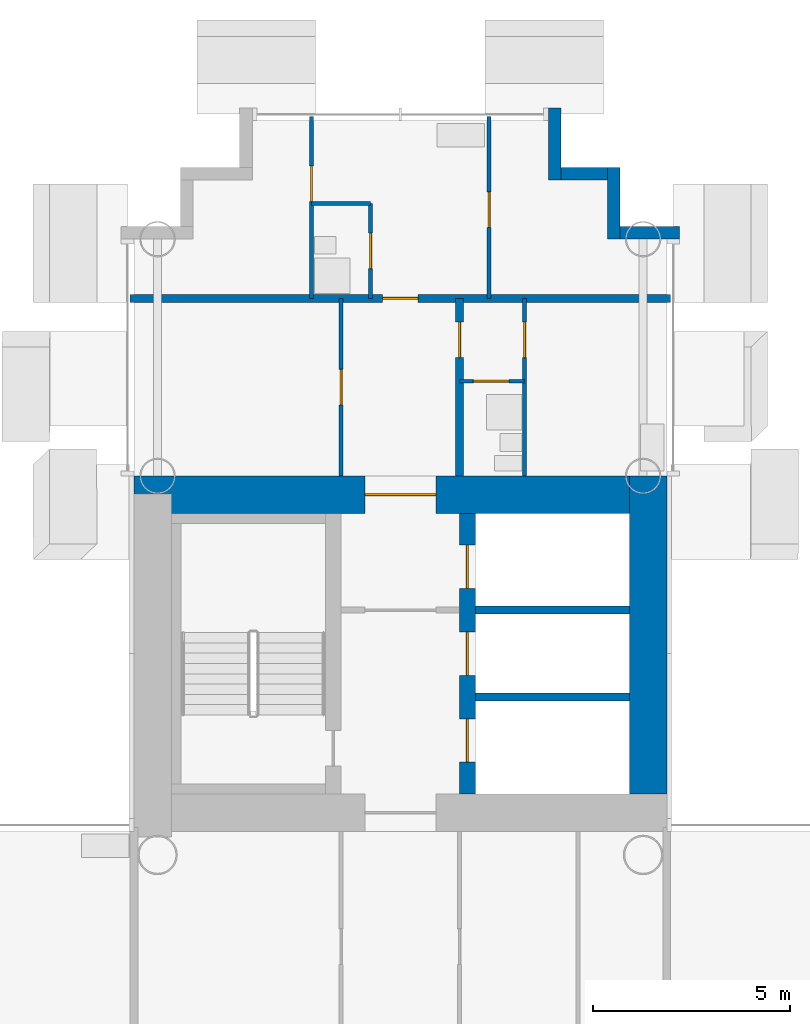
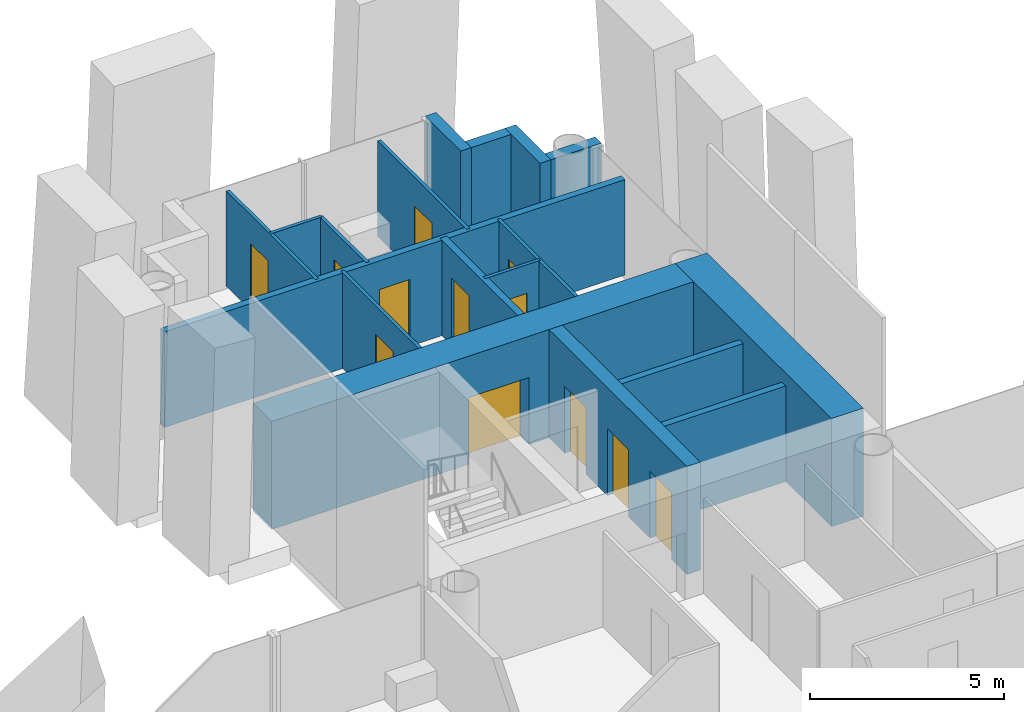
# One storey, part 13 of 21: 18 walls, 12 doors, 12 openings.
"""IFC4 building model written with IfcOpenShell, lengths in metres."""

import ifcopenshell
import ifcopenshell.guid

model = None  # the IFC model being written
_history = None  # IfcOwnerHistory: only IFC2X3 demands one
_inside = {}  # id of a spatial element -> (the spatial element, [elements in it])
_under = {}  # id of a project, library or spatial element -> (it, [spatial elements below it])
_declared = {}  # id of a project -> (the project, [libraries it declares])
_typed = {}  # id of a type object -> (the type object, [elements of that type])
_made_of = {}  # id of a material, layer set ... -> (it, [elements and type objects made of it])


def new_model(schema):
    """Start an empty IFC model of exactly this schema.

    Asked for "IFC4X3", IfcOpenShell would pick the latest addendum, in which some entities
    have other attributes; the version numbers below select the first issue.
    IFC2X3 requires an IfcOwnerHistory on every rooted entity: one is made here for all.
    """
    global model, _history
    if schema == "IFC4X3":
        model = ifcopenshell.file(schema_version=(4, 3, 0, 0))
    else:
        model = ifcopenshell.file(schema=schema)
    _inside.clear()
    _under.clear()
    _declared.clear()
    _typed.clear()
    _made_of.clear()
    _history = None
    if model.schema == "IFC2X3":
        org = make("IfcOrganization", Name="unknown")
        user = make(
            "IfcPersonAndOrganization",
            ThePerson=make("IfcPerson", FamilyName="unknown"),
            TheOrganization=org,
        )
        app = make(
            "IfcApplication",
            ApplicationDeveloper=org,
            Version="unknown",
            ApplicationFullName="unknown",
            ApplicationIdentifier="unknown",
        )
        _history = make(
            "IfcOwnerHistory",
            OwningUser=user,
            OwningApplication=app,
            ChangeAction="ADDED",
            CreationDate=0,
        )
    return model


def make(cls, **values):
    """One entity of the class cls with the attributes given. An attribute that is None is left unset."""
    return model.create_entity(
        cls, **{name: value for name, value in values.items() if value is not None}
    )


def rooted(cls, **values):
    """An entity with a GlobalId (a new one), such as an element, a storey or a relation."""
    return make(cls, GlobalId=ifcopenshell.guid.new(), OwnerHistory=_history, **values)


def si_unit(unit_type, name, prefix=None):
    """IfcSIUnit, for example si_unit("LENGTHUNIT", "METRE", prefix="MILLI")."""
    return make("IfcSIUnit", UnitType=unit_type, Prefix=prefix, Name=name)


def assignment(units):
    """IfcUnitAssignment: the units of a project."""
    return None if units is None else make("IfcUnitAssignment", Units=units)


def point(xyz):
    """IfcCartesianPoint."""
    return None if xyz is None else make("IfcCartesianPoint", Coordinates=xyz)


def direction(xyz):
    """IfcDirection."""
    return None if xyz is None else make("IfcDirection", DirectionRatios=xyz)


def frame(location, z_axis=None, x_axis=None):
    """IfcAxis2Placement3D, a coordinate frame: its origin and axes. An axis left out is left unset."""
    return make(
        "IfcAxis2Placement3D",
        Location=point(location),
        Axis=direction(z_axis),
        RefDirection=direction(x_axis),
    )


def frame_2d(location, x_axis=None):
    """IfcAxis2Placement2D, a coordinate frame in the plane: its origin and x axis."""
    return make(
        "IfcAxis2Placement2D", Location=point(location), RefDirection=direction(x_axis)
    )


def origin():
    """The frame at (0, 0, 0) with its axes left unset."""
    return frame((0.0, 0.0, 0.0))


def place(relative_to, where):
    """IfcLocalPlacement: puts the frame where relative to a parent placement (None: the world)."""
    return make(
        "IfcLocalPlacement", PlacementRelTo=relative_to, RelativePlacement=where
    )


def context(
    kind, dimensions, precision=None, world=None, true_north=None, identifier=None
):
    """IfcGeometricRepresentationContext, for example the 3D "Model" context."""
    return make(
        "IfcGeometricRepresentationContext",
        ContextIdentifier=identifier,
        ContextType=kind,
        CoordinateSpaceDimension=dimensions,
        Precision=precision,
        WorldCoordinateSystem=world,
        TrueNorth=true_north,
    )


def subcontext(parent, identifier, kind, view, scale=None):
    """IfcGeometricRepresentationSubContext, for example "Body" below "Model"."""
    return make(
        "IfcGeometricRepresentationSubContext",
        ContextIdentifier=identifier,
        ContextType=kind,
        ParentContext=parent,
        TargetScale=scale,
        TargetView=view,
    )


def project(units=None, contexts=None):
    """IfcProject with its units and contexts."""
    return rooted(
        "IfcProject",
        Name="project",
        RepresentationContexts=contexts,
        UnitsInContext=assignment(units),
    )


def spatial(cls, under=None, at=None, **own):
    """A site, building, storey or space (cls), placed at a placement, below another one or the project."""
    s = rooted(cls, ObjectPlacement=at, **own)
    if under is not None:
        _under.setdefault(under.id(), (under, []))[1].append(s)
    return s


def profile(cls, at=None, kind="AREA", **sizes):
    """A parametric profile (cls). Its sizes go by their IFC names, for example OverallWidth=200.0."""
    return make(cls, ProfileType=kind, Position=at, **sizes)


def rectangle(**sizes):
    """IfcRectangleProfileDef."""
    return profile("IfcRectangleProfileDef", **sizes)


def extrude(swept, where, along, depth):
    """IfcExtrudedAreaSolid: the profile swept, set in the frame where, extruded along a direction by depth."""
    return make(
        "IfcExtrudedAreaSolid",
        SweptArea=swept,
        Position=where,
        ExtrudedDirection=direction(along),
        Depth=depth,
    )


def shape(context_of_items, identifier, shape_type, items):
    """IfcShapeRepresentation: the items that make up one representation, for example the "Body"."""
    return make(
        "IfcShapeRepresentation",
        ContextOfItems=context_of_items,
        RepresentationIdentifier=identifier,
        RepresentationType=shape_type,
        Items=items,
    )


def material(Name=None, Category=None):
    """IfcMaterial."""
    return make("IfcMaterial", Name=Name, Category=Category)


def layer(
    of_material, thickness, ventilated=None, Name=None, Category=None, Priority=None
):
    """IfcMaterialLayer: one layer of a wall or slab, of a material (None: an air gap)."""
    return make(
        "IfcMaterialLayer",
        Material=of_material,
        LayerThickness=thickness,
        IsVentilated=ventilated,
        Name=Name,
        Category=Category,
        Priority=Priority,
    )


def layer_set(layers, Name=None):
    """IfcMaterialLayerSet."""
    return make("IfcMaterialLayerSet", MaterialLayers=layers, LayerSetName=Name)


def made_of(thing, what):
    """Note that an element or type object is made of a material, layer set ...; save() writes the relation."""
    if what is not None:
        _made_of.setdefault(what.id(), (what, []))[1].append(thing)
    return thing


def type_object(cls, material=None, **own):
    """A type object (cls), such as IfcWallType, which elements share."""
    return made_of(rooted(cls, **own), material)


def element(
    cls,
    number,
    at=None,
    inside=None,
    cuts=None,
    type_object=None,
    material=None,
    context=None,
    identifier="Body",
    shape_type=None,
    held_by="IfcProductDefinitionShape",
    body=None,
    shapes=None,
    **own,
):
    """One element of the class cls, such as IfcWall. Its Tag is "e" and its number.

    at: its placement. inside: the storey or other place that contains it. cuts: it is an
    opening in that element (IfcRelVoidsElement). A single representation is given by context,
    identifier, shape_type and body (its items); several are given by shapes. held_by: the class
    of the entity that holds the representations. save() writes the other relations.
    """
    e = rooted(cls, Tag="e%d" % number, ObjectPlacement=at, **own)
    if body is not None:
        shapes = [shape(context, identifier, shape_type, body)]
    if shapes is not None:
        e.Representation = make(held_by, Representations=shapes)
    if inside is not None:
        _inside.setdefault(inside.id(), (inside, []))[1].append(e)
    if cuts is not None:
        rooted(
            "IfcRelVoidsElement", RelatingBuildingElement=cuts, RelatedOpeningElement=e
        )
    if type_object is not None:
        _typed.setdefault(type_object.id(), (type_object, []))[1].append(e)
    return made_of(e, material)


def fill(opening, filler):
    """IfcRelFillsElement: the door or window that sits in an opening."""
    return rooted(
        "IfcRelFillsElement",
        RelatingOpeningElement=opening,
        RelatedBuildingElement=filler,
    )


def aggregate(whole, parts):
    """IfcRelAggregates: a whole, such as a stair, and the parts it consists of."""
    return rooted("IfcRelAggregates", RelatingObject=whole, RelatedObjects=parts)


def save(model, path):
    """Write the relations noted so far, then the file.

    IfcRelAggregates (storeys below a building ...), IfcRelContainedInSpatialStructure (elements
    in a storey), IfcRelDefinesByType, IfcRelAssociatesMaterial and IfcRelDeclares: one each for
    every whole, place, type object, material and project.
    """
    for whole, parts in _under.values():
        aggregate(whole, parts)
    for where, things in _inside.values():
        rooted(
            "IfcRelContainedInSpatialStructure",
            RelatedElements=things,
            RelatingStructure=where,
        )
    for kind, things in _typed.values():
        rooted("IfcRelDefinesByType", RelatedObjects=things, RelatingType=kind)
    for what, things in _made_of.values():
        rooted("IfcRelAssociatesMaterial", RelatedObjects=things, RelatingMaterial=what)
    for by, libraries in _declared.values():
        rooted("IfcRelDeclares", RelatingContext=by, RelatedDefinitions=libraries)
    model.write(path)


model = new_model("IFC4")

# Units and contexts
model_context = context("Model", 3, precision=1e-05, world=origin(), true_north=direction((0.0, 1.0)))
body_context = subcontext(model_context, "Body", "Model", "MODEL_VIEW")
ifc_project = project(units=[si_unit("LENGTHUNIT", "METRE"), si_unit("AREAUNIT", "SQUARE_METRE"), si_unit("VOLUMEUNIT", "CUBIC_METRE"), si_unit("PLANEANGLEUNIT", "RADIAN"), si_unit("MASSUNIT", "GRAM", prefix="KILO")], contexts=[model_context])

# Site, building, storey
site_placement = place(None, origin())
site = spatial("IfcSite", under=ifc_project, at=site_placement, CompositionType="ELEMENT")
building_placement = place(site_placement, origin())
building = spatial("IfcBuilding", under=site, at=building_placement, Name="Ipe Terrace Towers", CompositionType="ELEMENT")
storey_placement = place(building_placement, frame((0.0, 0.0, 80.0)))
storey = spatial("IfcBuildingStorey", under=building, at=storey_placement, Name="L21", CompositionType="ELEMENT", Elevation=80.0)

# Walls
ifc_material_1 = material(Name="Concrete C40/50 with buff precast cladding", Category="concrete")
ifc_layer_1 = layer(ifc_material_1, 0.320068359375)
ifc_layer_set_1 = layer_set([ifc_layer_1], Name="BUFF CLADDING WALL 320")
wall_type_1 = type_object("IfcWallType", Name="BUFF CLADDING WALL 320", PredefinedType="STANDARD", material=ifc_layer_set_1)
wall_1_placement = place(storey_placement, frame((43.070068359375, 21.909912109375, -0.300048828125), z_axis=(0.0, 0.0, 1.0), x_axis=(-1.0, 0.0, 0.0)))
element("IfcWall", 1, at=wall_1_placement, inside=storey, type_object=wall_type_1, Name="T2-W-L21-17a wall", PredefinedType="STANDARD", context=body_context, shape_type="SweptSolid", body=[
    extrude(rectangle(XDim=1.5, YDim=0.320068359375, at=frame_2d((0.75, 0.0))), origin(), (0.0, 0.0, 1.0), 3.400146484375),
])
wall_2_placement = place(storey_placement, frame((41.409912109375, 21.75, -0.300048828125), z_axis=(0.0, 0.0, 1.0), x_axis=(0.0, 1.0, 0.0)))
element("IfcWall", 2, at=wall_2_placement, inside=storey, type_object=wall_type_1, Name="T2-W-L21-18a wall", PredefinedType="STANDARD", context=body_context, shape_type="SweptSolid", body=[
    extrude(rectangle(XDim=1.820068359375, YDim=0.320068359375, at=frame_2d((0.91015625, 0.0))), origin(), (0.0, 0.0, 1.0), 3.400146484375),
])
wall_3_placement = place(storey_placement, frame((41.25, 23.409912109375, -0.300048828125), z_axis=(0.0, 0.0, 1.0), x_axis=(-1.0, 0.0, 0.0)))
element("IfcWall", 3, at=wall_3_placement, inside=storey, type_object=wall_type_1, Name="T2-W-L21-19a wall", PredefinedType="STANDARD", context=body_context, shape_type="SweptSolid", body=[
    extrude(rectangle(XDim=1.179931640625, YDim=0.320068359375, at=frame_2d((0.58984375, 0.0))), origin(), (0.0, 0.0, 1.0), 3.400146484375),
])
wall_4_placement = place(storey_placement, frame((39.909912109375, 23.25, -0.300048828125), z_axis=(0.0, 0.0, 1.0), x_axis=(0.0, 1.0, 0.0)))
element("IfcWall", 4, at=wall_4_placement, inside=storey, type_object=wall_type_1, Name="T2-W-L21-20a wall", PredefinedType="STANDARD", context=body_context, shape_type="SweptSolid", body=[
    extrude(rectangle(XDim=1.820068359375, YDim=0.320068359375, at=frame_2d((0.91015625, 0.0))), origin(), (0.0, 0.0, 1.0), 3.400146484375),
])

# Wall, opening, door
ifc_material_2 = material(Name="Gypsum board partition", Category="plasterboard")
ifc_layer_2 = layer(ifc_material_2, 0.10009765625)
ifc_layer_set_2 = layer_set([ifc_layer_2], Name="Gypsum board partition 100 mm")
wall_type_2 = type_object("IfcWallType", Name="Gypsum board partition 100 mm", PredefinedType="PARTITIONING", material=ifc_layer_set_2)
wall_5_placement = place(storey_placement, frame((39.14990234375, 18.14990234375, 0.0), z_axis=(0.0, 0.0, 1.0), x_axis=(-1.0, 0.0, 0.0)))
wall_5 = element("IfcWall", 5, at=wall_5_placement, inside=storey, type_object=wall_type_2, Name="Gypsum board partition T2 L21 W16", PredefinedType="PARTITIONING", context=body_context, shape_type="SweptSolid", body=[
    extrude(rectangle(XDim=1.64990234375, YDim=0.10009765625, at=frame_2d((0.824951171875, 0.0))), origin(), (0.0, 0.0, 1.0), 3.0),
])
opening_1_placement = place(wall_5_placement, frame((0.39990234375, 0.0, 0.0)))
opening_1 = element("IfcOpeningElement", 6, at=opening_1_placement, cuts=wall_5, Name="Opening T2-Z2B-20", PredefinedType="OPENING", context=body_context, shape_type="SweptSolid", body=[
    extrude(rectangle(XDim=0.89990234375, YDim=2.10009765625, at=frame_2d((0.449951171875, 1.050048828125))), frame((0.0, 0.06005859375, 0.0), z_axis=(0.0, -1.0, 0.0), x_axis=(1.0, 0.0, 0.0)), (0.0, 0.0, 1.0), 0.1201171875),
])
ifc_material_3 = material(Name="Timber door leaf", Category="wood")
door_type_1 = type_object("IfcDoorType", Name="Bathroom door 900 x 2100", OperationType="NOTDEFINED", PredefinedType="DOOR", material=ifc_material_3)
door_1_placement = place(opening_1_placement, origin())
door_1 = element("IfcDoor", 7, at=door_1_placement, inside=storey, type_object=door_type_1, Name="Bathroom door T2-Z2B-20", OperationType="SINGLE_SWING_LEFT", OverallHeight=2.10009765625, OverallWidth=0.89990234375, PredefinedType="DOOR", context=body_context, shape_type="SweptSolid", body=[
    extrude(rectangle(XDim=0.89990234375, YDim=2.10009765625, at=frame_2d((0.449951171875, 1.050048828125))), frame((0.0, 0.02490234375, 0.0), z_axis=(0.0, -1.0, 0.0), x_axis=(1.0, 0.0, 0.0)), (0.0, 0.0, 1.0), 0.050048828125),
])
fill(opening_1, door_1)

# Wall
wall_6_placement = place(storey_placement, frame((35.25, 22.64990234375, 0.0), z_axis=(0.0, 0.0, 1.0), x_axis=(-1.0, 0.0, 0.0)))
element("IfcWall", 8, at=wall_6_placement, inside=storey, type_object=wall_type_2, Name="Gypsum board partition T2 L21 W18", PredefinedType="PARTITIONING", context=body_context, shape_type="SweptSolid", body=[
    extrude(rectangle(XDim=1.5, YDim=0.10009765625, at=frame_2d((0.75, 0.0))), origin(), (0.0, 0.0, 1.0), 3.0),
])

# Wall, opening, door
wall_7_placement = place(storey_placement, frame((39.14990234375, 15.75, 0.0), z_axis=(0.0, 0.0, 1.0), x_axis=(0.0, 1.0, 0.0)))
wall_7 = element("IfcWall", 9, at=wall_7_placement, inside=storey, type_object=wall_type_2, Name="Gypsum board partition T2 L21 W26", PredefinedType="PARTITIONING", context=body_context, shape_type="SweptSolid", body=[
    extrude(rectangle(XDim=4.5, YDim=0.10009765625, at=frame_2d((2.25, 0.0))), origin(), (0.0, 0.0, 1.0), 3.0),
])
opening_2_placement = place(wall_7_placement, frame((3.0, 0.0, 0.0)))
opening_2 = element("IfcOpeningElement", 10, at=opening_2_placement, cuts=wall_7, Name="Opening T2-Z2B-19", PredefinedType="OPENING", context=body_context, shape_type="SweptSolid", body=[
    extrude(rectangle(XDim=0.89990234375, YDim=2.10009765625, at=frame_2d((0.449951171875, 1.050048828125))), frame((0.0, 0.06005859375, 0.0), z_axis=(0.0, -1.0, 0.0), x_axis=(1.0, 0.0, 0.0)), (0.0, 0.0, 1.0), 0.1201171875),
])
ifc_material_4 = material(Name="Timber door leaf", Category="wood")
door_type_2 = type_object("IfcDoorType", Name="Bedroom door 900 x 2100", OperationType="NOTDEFINED", PredefinedType="DOOR", material=ifc_material_4)
door_2_placement = place(opening_2_placement, origin())
door_2 = element("IfcDoor", 11, at=door_2_placement, inside=storey, type_object=door_type_2, Name="Bedroom door T2-Z2B-19", OperationType="SINGLE_SWING_RIGHT", OverallHeight=2.10009765625, OverallWidth=0.89990234375, PredefinedType="DOOR", context=body_context, shape_type="SweptSolid", body=[
    extrude(rectangle(XDim=0.89990234375, YDim=2.10009765625, at=frame_2d((0.449951171875, 1.050048828125))), frame((0.0, 0.02490234375, 0.0), z_axis=(0.0, -1.0, 0.0), x_axis=(1.0, 0.0, 0.0)), (0.0, 0.0, 1.0), 0.050048828125),
])
fill(opening_2, door_2)

wall_8_placement = place(storey_placement, frame((38.25, 20.25, 0.0), z_axis=(0.0, 0.0, 1.0), x_axis=(0.0, 1.0, 0.0)))
wall_8 = element("IfcWall", 12, at=wall_8_placement, inside=storey, type_object=wall_type_2, Name="Gypsum board partition T2 L21 W27", PredefinedType="PARTITIONING", context=body_context, shape_type="SweptSolid", body=[
    extrude(rectangle(XDim=4.60009765625, YDim=0.10009765625, at=frame_2d((2.300048828125, 0.0))), origin(), (0.0, 0.0, 1.0), 3.0),
])
opening_3_placement = place(wall_8_placement, frame((1.800048828125, 0.0, 0.0)))
opening_3 = element("IfcOpeningElement", 13, at=opening_3_placement, cuts=wall_8, Name="Opening T2-Z2B-24", PredefinedType="OPENING", context=body_context, shape_type="SweptSolid", body=[
    extrude(rectangle(XDim=0.89990234375, YDim=2.10009765625, at=frame_2d((0.449951171875, 1.050048828125))), frame((0.0, 0.06005859375, 0.0), z_axis=(0.0, -1.0, 0.0), x_axis=(1.0, 0.0, 0.0)), (0.0, 0.0, 1.0), 0.1201171875),
])
ifc_material_5 = material(Name="Timber door leaf", Category="wood")
door_type_3 = type_object("IfcDoorType", Name="Lounge door 900 x 2100", OperationType="NOTDEFINED", PredefinedType="DOOR", material=ifc_material_5)
door_3_placement = place(opening_3_placement, origin())
door_3 = element("IfcDoor", 14, at=door_3_placement, inside=storey, type_object=door_type_3, Name="Lounge door T2-Z2B-24", OperationType="SINGLE_SWING_LEFT", OverallHeight=2.10009765625, OverallWidth=0.89990234375, PredefinedType="DOOR", context=body_context, shape_type="SweptSolid", body=[
    extrude(rectangle(XDim=0.89990234375, YDim=2.10009765625, at=frame_2d((0.449951171875, 1.050048828125))), frame((0.0, 0.02490234375, 0.0), z_axis=(0.0, -1.0, 0.0), x_axis=(1.0, 0.0, 0.0)), (0.0, 0.0, 1.0), 0.050048828125),
])
fill(opening_3, door_3)

wall_9_placement = place(storey_placement, frame((35.25, 20.25, 0.0), z_axis=(0.0, 0.0, 1.0), x_axis=(0.0, 1.0, 0.0)))
wall_9 = element("IfcWall", 15, at=wall_9_placement, inside=storey, type_object=wall_type_2, Name="Gypsum board partition T2 L21 W31", PredefinedType="PARTITIONING", context=body_context, shape_type="SweptSolid", body=[
    extrude(rectangle(XDim=2.39990234375, YDim=0.10009765625, at=frame_2d((1.199951171875, 0.0))), origin(), (0.0, 0.0, 1.0), 3.0),
])
opening_4_placement = place(wall_9_placement, frame((0.75, 0.0, 0.0)))
opening_4 = element("IfcOpeningElement", 16, at=opening_4_placement, cuts=wall_9, Name="Opening T2-Z2B-21", PredefinedType="OPENING", context=body_context, shape_type="SweptSolid", body=[
    extrude(rectangle(XDim=0.89990234375, YDim=2.10009765625, at=frame_2d((0.449951171875, 1.050048828125))), frame((0.0, 0.06005859375, 0.0), z_axis=(0.0, -1.0, 0.0), x_axis=(1.0, 0.0, 0.0)), (0.0, 0.0, 1.0), 0.1201171875),
])
door_4_placement = place(opening_4_placement, origin())
door_4 = element("IfcDoor", 17, at=door_4_placement, inside=storey, type_object=door_type_1, Name="Bathroom door T2-Z2B-21", OperationType="SINGLE_SWING_LEFT", OverallHeight=2.10009765625, OverallWidth=0.89990234375, PredefinedType="DOOR", context=body_context, shape_type="SweptSolid", body=[
    extrude(rectangle(XDim=0.89990234375, YDim=2.10009765625, at=frame_2d((0.449951171875, 1.050048828125))), frame((0.0, 0.02490234375, 0.0), z_axis=(0.0, -1.0, 0.0), x_axis=(1.0, 0.0, 0.0)), (0.0, 0.0, 1.0), 0.050048828125),
])
fill(opening_4, door_4)

wall_10_placement = place(storey_placement, frame((34.5, 15.75, 0.0), z_axis=(0.0, 0.0, 1.0), x_axis=(0.0, 1.0, 0.0)))
wall_10 = element("IfcWall", 18, at=wall_10_placement, inside=storey, type_object=wall_type_2, Name="Gypsum board partition T2 L21 W34", PredefinedType="PARTITIONING", context=body_context, shape_type="SweptSolid", body=[
    extrude(rectangle(XDim=4.5, YDim=0.10009765625, at=frame_2d((2.25, 0.0))), origin(), (0.0, 0.0, 1.0), 3.0),
])
opening_5_placement = place(wall_10_placement, frame((1.800048828125, 0.0, 0.0)))
opening_5 = element("IfcOpeningElement", 19, at=opening_5_placement, cuts=wall_10, Name="Opening T2-Z2B-17", PredefinedType="OPENING", context=body_context, shape_type="SweptSolid", body=[
    extrude(rectangle(XDim=0.89990234375, YDim=2.10009765625, at=frame_2d((0.449951171875, 1.050048828125))), frame((0.0, 0.06005859375, 0.0), z_axis=(0.0, -1.0, 0.0), x_axis=(1.0, 0.0, 0.0)), (0.0, 0.0, 1.0), 0.1201171875),
])
door_5_placement = place(opening_5_placement, origin())
door_5 = element("IfcDoor", 20, at=door_5_placement, inside=storey, type_object=door_type_3, Name="Lounge door T2-Z2B-17", OperationType="SINGLE_SWING_LEFT", OverallHeight=2.10009765625, OverallWidth=0.89990234375, PredefinedType="DOOR", context=body_context, shape_type="SweptSolid", body=[
    extrude(rectangle(XDim=0.89990234375, YDim=2.10009765625, at=frame_2d((0.449951171875, 1.050048828125))), frame((0.0, 0.02490234375, 0.0), z_axis=(0.0, -1.0, 0.0), x_axis=(1.0, 0.0, 0.0)), (0.0, 0.0, 1.0), 0.050048828125),
])
fill(opening_5, door_5)

wall_11_placement = place(storey_placement, frame((33.75, 20.25, 0.0), z_axis=(0.0, 0.0, 1.0), x_axis=(0.0, 1.0, 0.0)))
wall_11 = element("IfcWall", 21, at=wall_11_placement, inside=storey, type_object=wall_type_2, Name="Gypsum board partition T2 L21 W35", PredefinedType="PARTITIONING", context=body_context, shape_type="SweptSolid", body=[
    extrude(rectangle(XDim=4.60009765625, YDim=0.10009765625, at=frame_2d((2.300048828125, 0.0))), origin(), (0.0, 0.0, 1.0), 3.0),
])
opening_6_placement = place(wall_11_placement, frame((2.449951171875, 0.0, 0.0)))
opening_6 = element("IfcOpeningElement", 22, at=opening_6_placement, cuts=wall_11, Name="Opening T2-Z2B-23", PredefinedType="OPENING", context=body_context, shape_type="SweptSolid", body=[
    extrude(rectangle(XDim=0.89990234375, YDim=2.10009765625, at=frame_2d((0.449951171875, 1.050048828125))), frame((0.0, 0.06005859375, 0.0), z_axis=(0.0, -1.0, 0.0), x_axis=(1.0, 0.0, 0.0)), (0.0, 0.0, 1.0), 0.1201171875),
])
door_6_placement = place(opening_6_placement, origin())
door_6 = element("IfcDoor", 23, at=door_6_placement, inside=storey, type_object=door_type_3, Name="Lounge door T2-Z2B-23", OperationType="SINGLE_SWING_LEFT", OverallHeight=2.10009765625, OverallWidth=0.89990234375, PredefinedType="DOOR", context=body_context, shape_type="SweptSolid", body=[
    extrude(rectangle(XDim=0.89990234375, YDim=2.10009765625, at=frame_2d((0.449951171875, 1.050048828125))), frame((0.0, 0.02490234375, 0.0), z_axis=(0.0, -1.0, 0.0), x_axis=(1.0, 0.0, 0.0)), (0.0, 0.0, 1.0), 0.050048828125),
])
fill(opening_6, door_6)

# Walls
ifc_material_6 = material(Name="Gypsum board party wall", Category="plasterboard")
ifc_layer_3 = layer(ifc_material_6, 0.199951171875)
ifc_layer_set_3 = layer_set([ifc_layer_3], Name="Gypsum board party wall 200 mm")
wall_type_3 = type_object("IfcWallType", Name="Gypsum board party wall 200 mm", PredefinedType="SOLIDWALL", material=ifc_layer_set_3)
for number, where, z_axis, x_axis, name in (
    (24, (41.800048828125, 10.14990234375, 0.0), (0.0, 0.0, 1.0), (-1.0, 0.0, 0.0), "Gypsum board party wall T2 L21 t2c1-shaft-div1"),
    (25, (41.800048828125, 12.35009765625, 0.0), (0.0, 0.0, 1.0), (-1.0, 0.0, 0.0), "Gypsum board party wall T2 L21 t2c1-shaft-div2"),
):
    element("IfcWall", number, at=place(storey_placement, frame(where, z_axis=z_axis, x_axis=x_axis)), inside=storey, type_object=wall_type_3, Name=name, PredefinedType="SOLIDWALL", context=body_context, shape_type="SweptSolid", body=[
        extrude(rectangle(XDim=3.900146484375, YDim=0.199951171875, at=frame_2d((1.9501953125, 0.0))), origin(), (0.0, 0.0, 1.0), 3.0),
    ])

# Wall, opening, door
wall_12_placement = place(storey_placement, frame((42.85009765625, 20.25, 0.0), z_axis=(0.0, 0.0, 1.0), x_axis=(-1.0, 0.0, 0.0)))
wall_12 = element("IfcWall", 26, at=wall_12_placement, inside=storey, type_object=wall_type_3, Name="Gypsum board party wall T2 L21 W17", PredefinedType="SOLIDWALL", context=body_context, shape_type="SweptSolid", body=[
    extrude(rectangle(XDim=13.7001953125, YDim=0.199951171875, at=frame_2d((6.85009765625, 0.0))), origin(), (0.0, 0.0, 1.0), 3.0),
])
opening_7_placement = place(wall_12_placement, frame((6.39990234375, 0.0, 0.0)))
opening_7 = element("IfcOpeningElement", 27, at=opening_7_placement, cuts=wall_12, Name="Opening T2-Z2B-22", PredefinedType="OPENING", context=body_context, shape_type="SweptSolid", body=[
    extrude(rectangle(XDim=0.89990234375, YDim=2.10009765625, at=frame_2d((0.449951171875, 1.050048828125))), frame((0.0, 0.10986328125, 0.0), z_axis=(0.0, -1.0, 0.0), x_axis=(1.0, 0.0, 0.0)), (0.0, 0.0, 1.0), 0.219970703125),
])
ifc_material_7 = material(Name="Fire-rated timber door leaf", Category="wood")
door_type_4 = type_object("IfcDoorType", Name="Flat entrance door 900 x 2100 FD30S", OperationType="NOTDEFINED", PredefinedType="DOOR", material=ifc_material_7)
door_7_placement = place(opening_7_placement, origin())
door_7 = element("IfcDoor", 28, at=door_7_placement, inside=storey, type_object=door_type_4, Name="Flat entrance door T2-Z2B-22", OperationType="SINGLE_SWING_RIGHT", OverallHeight=2.10009765625, OverallWidth=0.89990234375, PredefinedType="DOOR", context=body_context, shape_type="SweptSolid", body=[
    extrude(rectangle(XDim=0.89990234375, YDim=2.10009765625, at=frame_2d((0.449951171875, 1.050048828125))), frame((0.0, 0.02490234375, 0.0), z_axis=(0.0, -1.0, 0.0), x_axis=(1.0, 0.0, 0.0)), (0.0, 0.0, 1.0), 0.050048828125),
])
fill(opening_7, door_7)

wall_13_placement = place(storey_placement, frame((37.5, 15.75, 0.0), z_axis=(0.0, 0.0, 1.0), x_axis=(0.0, 1.0, 0.0)))
wall_13 = element("IfcWall", 29, at=wall_13_placement, inside=storey, type_object=wall_type_3, Name="Gypsum board party wall T2 L21 W30", PredefinedType="SOLIDWALL", context=body_context, shape_type="SweptSolid", body=[
    extrude(rectangle(XDim=4.5, YDim=0.199951171875, at=frame_2d((2.25, 0.0))), origin(), (0.0, 0.0, 1.0), 3.0),
])
opening_8_placement = place(wall_13_placement, frame((3.0, 0.0, 0.0)))
opening_8 = element("IfcOpeningElement", 30, at=opening_8_placement, cuts=wall_13, Name="Opening T2-Z2B-18", PredefinedType="OPENING", context=body_context, shape_type="SweptSolid", body=[
    extrude(rectangle(XDim=0.89990234375, YDim=2.10009765625, at=frame_2d((0.449951171875, 1.050048828125))), frame((0.0, 0.10986328125, 0.0), z_axis=(0.0, -1.0, 0.0), x_axis=(1.0, 0.0, 0.0)), (0.0, 0.0, 1.0), 0.219970703125),
])
door_8_placement = place(opening_8_placement, origin())
door_8 = element("IfcDoor", 31, at=door_8_placement, inside=storey, type_object=door_type_4, Name="Flat entrance door T2-Z2B-18", OperationType="SINGLE_SWING_RIGHT", OverallHeight=2.10009765625, OverallWidth=0.89990234375, PredefinedType="DOOR", context=body_context, shape_type="SweptSolid", body=[
    extrude(rectangle(XDim=0.89990234375, YDim=2.10009765625, at=frame_2d((0.449951171875, 1.050048828125))), frame((0.0, 0.02490234375, 0.0), z_axis=(0.0, -1.0, 0.0), x_axis=(1.0, 0.0, 0.0)), (0.0, 0.0, 1.0), 0.050048828125),
])
fill(opening_8, door_8)

# Wall, openings, doors
ifc_material_8 = material(Name="Concrete C50/60", Category="concrete")
ifc_layer_4 = layer(ifc_material_8, 0.39990234375)
ifc_layer_set_4 = layer_set([ifc_layer_4], Name="RW400 CORE SPINE WALL 400 C50-60")
wall_type_4 = type_object("IfcWallType", Name="RW400 CORE SPINE WALL 400 C50-60", PredefinedType="SHEAR", material=ifc_layer_set_4)
wall_14_placement = place(storey_placement, frame((37.699951171875, 7.699951171875, 0.0), z_axis=(0.0, 0.0, 1.0), x_axis=(0.0, 1.0, 0.0)))
wall_14 = element("IfcWall", 32, at=wall_14_placement, inside=storey, type_object=wall_type_4, Name="Core spine wall T2-C1-Z2-SW2", PredefinedType="SHEAR", context=body_context, shape_type="SweptSolid", body=[
    extrude(rectangle(XDim=7.10009765625, YDim=0.39990234375, at=frame_2d((3.550048828125, 0.0))), origin(), (0.0, 0.0, 1.0), 3.39990234375),
])
opening_9_placement = place(wall_14_placement, frame((0.800048828125, 0.0, 0.0)))
opening_9 = element("IfcOpeningElement", 33, at=opening_9_placement, cuts=wall_14, Name="Opening T2C1-LD1", PredefinedType="OPENING", context=body_context, shape_type="SweptSolid", body=[
    extrude(rectangle(XDim=1.10009765625, YDim=2.10009765625, at=frame_2d((0.550048828125, 1.050048828125))), frame((0.0, 0.2099609375, 0.0), z_axis=(0.0, -1.0, 0.0), x_axis=(1.0, 0.0, 0.0)), (0.0, 0.0, 1.0), 0.419921875),
])
opening_10_placement = place(wall_14_placement, frame((3.0, 0.0, 0.0)))
opening_10 = element("IfcOpeningElement", 34, at=opening_10_placement, cuts=wall_14, Name="Opening T2C1-LD2", PredefinedType="OPENING", context=body_context, shape_type="SweptSolid", body=[
    extrude(rectangle(XDim=1.10009765625, YDim=2.10009765625, at=frame_2d((0.550048828125, 1.050048828125))), frame((0.0, 0.2099609375, 0.0), z_axis=(0.0, -1.0, 0.0), x_axis=(1.0, 0.0, 0.0)), (0.0, 0.0, 1.0), 0.419921875),
])
opening_11_placement = place(wall_14_placement, frame((5.199951171875, 0.0, 0.0)))
opening_11 = element("IfcOpeningElement", 35, at=opening_11_placement, cuts=wall_14, Name="Opening T2C1-LD3", PredefinedType="OPENING", context=body_context, shape_type="SweptSolid", body=[
    extrude(rectangle(XDim=1.10009765625, YDim=2.10009765625, at=frame_2d((0.550048828125, 1.050048828125))), frame((0.0, 0.2099609375, 0.0), z_axis=(0.0, -1.0, 0.0), x_axis=(1.0, 0.0, 0.0)), (0.0, 0.0, 1.0), 0.419921875),
])
ifc_material_9 = material(Name="Fire-rated timber door leaf", Category="wood")
door_type_5 = type_object("IfcDoorType", Name="Sliding door 1100 x 2100 FD60", OperationType="SLIDING_TO_LEFT", PredefinedType="DOOR", material=ifc_material_9)
door_9_placement = place(opening_9_placement, origin())
door_9 = element("IfcDoor", 36, at=door_9_placement, inside=storey, type_object=door_type_5, Name="Sliding door T2C1-LD1", OperationType="SLIDING_TO_LEFT", OverallHeight=2.10009765625, OverallWidth=1.10009765625, PredefinedType="DOOR", context=body_context, shape_type="SweptSolid", body=[
    extrude(rectangle(XDim=1.10009765625, YDim=2.10009765625, at=frame_2d((0.550048828125, 1.050048828125))), frame((0.0, 0.02490234375, 0.0), z_axis=(0.0, -1.0, 0.0), x_axis=(1.0, 0.0, 0.0)), (0.0, 0.0, 1.0), 0.050048828125),
])
fill(opening_9, door_9)
door_10_placement = place(opening_10_placement, origin())
door_10 = element("IfcDoor", 37, at=door_10_placement, inside=storey, type_object=door_type_5, Name="Sliding door T2C1-LD2", OperationType="SLIDING_TO_LEFT", OverallHeight=2.10009765625, OverallWidth=1.10009765625, PredefinedType="DOOR", context=body_context, shape_type="SweptSolid", body=[
    extrude(rectangle(XDim=1.10009765625, YDim=2.10009765625, at=frame_2d((0.550048828125, 1.050048828125))), frame((0.0, 0.02490234375, 0.0), z_axis=(0.0, -1.0, 0.0), x_axis=(1.0, 0.0, 0.0)), (0.0, 0.0, 1.0), 0.050048828125),
])
fill(opening_10, door_10)
door_11_placement = place(opening_11_placement, origin())
door_11 = element("IfcDoor", 38, at=door_11_placement, inside=storey, type_object=door_type_5, Name="Sliding door T2C1-LD3", OperationType="SLIDING_TO_LEFT", OverallHeight=2.10009765625, OverallWidth=1.10009765625, PredefinedType="DOOR", context=body_context, shape_type="SweptSolid", body=[
    extrude(rectangle(XDim=1.10009765625, YDim=2.10009765625, at=frame_2d((0.550048828125, 1.050048828125))), frame((0.0, 0.02490234375, 0.0), z_axis=(0.0, -1.0, 0.0), x_axis=(1.0, 0.0, 0.0)), (0.0, 0.0, 1.0), 0.050048828125),
])
fill(opening_11, door_11)

# Wall
ifc_material_10 = material(Name="Concrete C50/60", Category="concrete")
ifc_layer_5 = layer(ifc_material_10, 0.949951171875)
ifc_layer_set_5 = layer_set([ifc_layer_5], Name="RW950 CORE WALL 950 C50-60")
wall_type_5 = type_object("IfcWallType", Name="RW950 CORE WALL 950 C50-60", PredefinedType="SHEAR", material=ifc_layer_set_5)
wall_15_placement = place(storey_placement, frame((42.27490234375, 7.699951171875, 0.0), z_axis=(0.0, 0.0, 1.0), x_axis=(0.0, 1.0, 0.0)))
element("IfcWall", 39, at=wall_15_placement, inside=storey, type_object=wall_type_5, Name="Core wall T2-C1-Z2-W02", PredefinedType="SHEAR", context=body_context, shape_type="SweptSolid", body=[
    extrude(rectangle(XDim=8.050048828125, YDim=0.949951171875, at=frame_2d((4.02490234375, 0.0))), origin(), (0.0, 0.0, 1.0), 3.39990234375),
])

# Wall, opening, door
wall_16_placement = place(storey_placement, frame((41.800048828125, 15.27490234375, 0.0), z_axis=(0.0, 0.0, 1.0), x_axis=(-1.0, 0.0, 0.0)))
wall_16 = element("IfcWall", 40, at=wall_16_placement, inside=storey, type_object=wall_type_5, Name="Core wall T2-C1-Z2-W03", PredefinedType="SHEAR", context=body_context, shape_type="SweptSolid", body=[
    extrude(rectangle(XDim=12.550048828125, YDim=0.949951171875, at=frame_2d((6.27490234375, 0.0))), origin(), (0.0, 0.0, 1.0), 3.39990234375),
])
opening_12_placement = place(wall_16_placement, frame((4.89990234375, 0.0, 0.0)))
opening_12 = element("IfcOpeningElement", 41, at=opening_12_placement, cuts=wall_16, Name="Opening T2C1-FD", PredefinedType="OPENING", context=body_context, shape_type="SweptSolid", body=[
    extrude(rectangle(XDim=1.800048828125, YDim=2.10009765625, at=frame_2d((0.89990234375, 1.050048828125))), frame((0.0, 0.48486328125, 0.0), z_axis=(0.0, -1.0, 0.0), x_axis=(1.0, 0.0, 0.0)), (0.0, 0.0, 1.0), 0.969970703125),
])
ifc_material_11 = material(Name="Fire-rated timber door leaf", Category="wood")
door_type_6 = type_object("IfcDoorType", Name="Fire door 1800 x 2100 FD30S", OperationType="NOTDEFINED", PredefinedType="DOOR", material=ifc_material_11)
door_12_placement = place(opening_12_placement, origin())
door_12 = element("IfcDoor", 42, at=door_12_placement, inside=storey, type_object=door_type_6, Name="Fire door T2C1-FD", OperationType="SINGLE_SWING_LEFT", OverallHeight=2.10009765625, OverallWidth=1.800048828125, PredefinedType="DOOR", context=body_context, shape_type="SweptSolid", body=[
    extrude(rectangle(XDim=1.800048828125, YDim=2.10009765625, at=frame_2d((0.89990234375, 1.050048828125))), frame((0.0, 0.02490234375, 0.0), z_axis=(0.0, -1.0, 0.0), x_axis=(1.0, 0.0, 0.0)), (0.0, 0.0, 1.0), 0.050048828125),
])
fill(opening_12, door_12)

save(model, "model.ifc")
